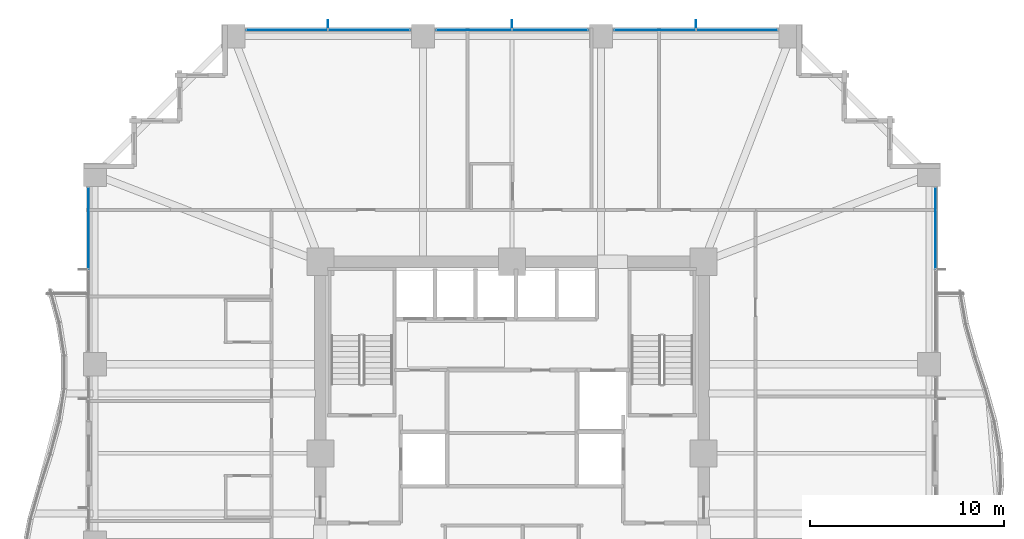
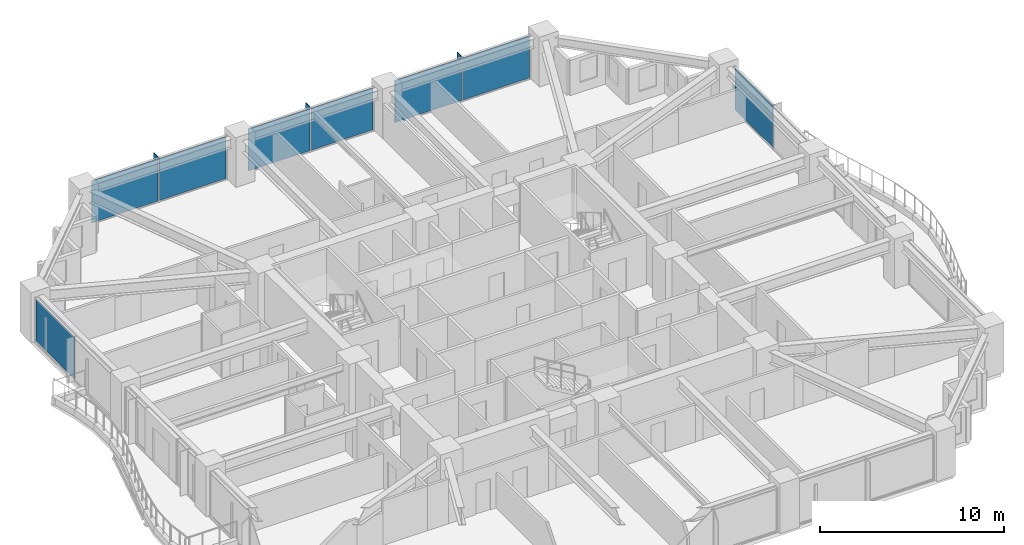
# One storey, part 31 of 38: 11 plates, 5 elements without a shape of their own.
"""IFC4 building model written with IfcOpenShell, lengths in metres."""

from ifc_helpers import new_model, si_unit, direction, frame, origin, origin_2d, place, context, subcontext, project, spatial, rectangle, extrude, material, layer, layer_set, type_object, element, aggregate, save


model = new_model("IFC4")

# Units and contexts
model_context = context("Model", 3, precision=1e-05, world=origin(), true_north=direction((0.0, 1.0)))
body_context = subcontext(model_context, "Body", "Model", "MODEL_VIEW")
ifc_project = project(units=[si_unit("LENGTHUNIT", "METRE"), si_unit("AREAUNIT", "SQUARE_METRE"), si_unit("VOLUMEUNIT", "CUBIC_METRE"), si_unit("PLANEANGLEUNIT", "RADIAN"), si_unit("MASSUNIT", "GRAM", prefix="KILO")], contexts=[model_context])

# Site, building, storey
site_placement = place(None, origin())
site = spatial("IfcSite", under=ifc_project, at=site_placement, CompositionType="ELEMENT")
building_placement = place(site_placement, origin())
building = spatial("IfcBuilding", under=site, at=building_placement, Name="Kolvaren Belvedere", CompositionType="ELEMENT")
storey_placement = place(building_placement, frame((0.0, 0.0, 60.10009765625)))
storey = spatial("IfcBuildingStorey", under=building, at=storey_placement, Name="L17", CompositionType="ELEMENT", Elevation=60.10009765625)

# Curtain wall, plate
ifc_material_1 = material(Name="Anodised pale-metal aluminium AA 6063-T6", Category="aluminium")
curtain_wall_type = type_object("IfcCurtainWallType", Name="CW-Z1-LOW", PredefinedType="NOTDEFINED", material=ifc_material_1)
curtain_wall_1_placement = place(storey_placement, origin())
curtain_wall_1 = element("IfcCurtainWall", 1, at=curtain_wall_1_placement, inside=storey, type_object=curtain_wall_type, Name="L17 Unitised Curtain Wall FCW-L17-E1-B1", PredefinedType="NOTDEFINED")
ifc_material_2 = material(Name="Low-iron triple insulated glass", Category="glass")
ifc_layer_1 = layer(ifc_material_2, 0.028076171875)
ifc_layer_set_1 = layer_set([ifc_layer_1], Name="Low-iron triple insulated glass")
plate_type_1 = type_object("IfcPlateType", Name="CW-PNL-VIS28", PredefinedType="CURTAIN_PANEL", material=ifc_layer_set_1)
plate_1_placement = place(storey_placement, frame((21.8798828125, 11.62255859375, 0.079833984375), z_axis=(0.0, 0.0, 1.0), x_axis=(0.0, -1.0, 0.0)))
plate_1 = element("IfcPlate", 2, at=plate_1_placement, type_object=plate_type_1, Name="FCW-L17-E1-B1 Vision Glazing Panel 1", PredefinedType="CURTAIN_PANEL", context=body_context, shape_type="SweptSolid", body=[
    extrude(rectangle(XDim=4.1650390625, YDim=0.028076171875, at=origin_2d()), origin(), (0.0, 0.0, 1.0), 2.7900390625),
])
aggregate(curtain_wall_1, [plate_1])

# Curtain wall, plates
curtain_wall_2_placement = place(storey_placement, origin())
curtain_wall_2 = element("IfcCurtainWall", 3, at=curtain_wall_2_placement, inside=storey, type_object=curtain_wall_type, Name="L17 Unitised Curtain Wall FCW-L17-N-B1", PredefinedType="NOTDEFINED")
plate_2_placement = place(storey_placement, frame((-11.62255859375, 21.8798828125, 0.079833984375), z_axis=(0.0, 0.0, 1.0), x_axis=(1.0, 0.0, 0.0)))
plate_2 = element("IfcPlate", 4, at=plate_2_placement, type_object=plate_type_1, Name="FCW-L17-N-B1 Vision Glazing Panel 1", PredefinedType="CURTAIN_PANEL", context=body_context, shape_type="SweptSolid", body=[
    extrude(rectangle(XDim=4.1650390625, YDim=0.028076171875, at=origin_2d()), origin(), (0.0, 0.0, 1.0), 2.7900390625),
])
plate_3_placement = place(storey_placement, frame((-7.37744140625, 21.8798828125, 0.079833984375), z_axis=(0.0, 0.0, 1.0), x_axis=(1.0, 0.0, 0.0)))
plate_3 = element("IfcPlate", 5, at=plate_3_placement, type_object=plate_type_1, Name="FCW-L17-N-B1 Vision Glazing Panel 2", PredefinedType="CURTAIN_PANEL", context=body_context, shape_type="SweptSolid", body=[
    extrude(rectangle(XDim=4.1650390625, YDim=0.028076171875, at=origin_2d()), origin(), (0.0, 0.0, 1.0), 2.7900390625),
])
aggregate(curtain_wall_2, [plate_2, plate_3])

curtain_wall_3_placement = place(storey_placement, origin())
curtain_wall_3 = element("IfcCurtainWall", 6, at=curtain_wall_3_placement, inside=storey, type_object=curtain_wall_type, Name="L17 Unitised Curtain Wall FCW-L17-N-B2", PredefinedType="NOTDEFINED")
plate_4_placement = place(storey_placement, frame((-1.972412109375, 21.8798828125, 0.079833984375), z_axis=(0.0, 0.0, 1.0), x_axis=(1.0, 0.0, 0.0)))
plate_4 = element("IfcPlate", 7, at=plate_4_placement, type_object=plate_type_1, Name="FCW-L17-N-B2 Vision Glazing Panel 1", PredefinedType="CURTAIN_PANEL", context=body_context, shape_type="SweptSolid", body=[
    extrude(rectangle(XDim=3.864990234375, YDim=0.028076171875, at=origin_2d()), origin(), (0.0, 0.0, 1.0), 2.7900390625),
])
plate_5_placement = place(storey_placement, frame((1.972412109375, 21.8798828125, 0.079833984375), z_axis=(0.0, 0.0, 1.0), x_axis=(1.0, 0.0, 0.0)))
plate_5 = element("IfcPlate", 8, at=plate_5_placement, type_object=plate_type_1, Name="FCW-L17-N-B2 Vision Glazing Panel 2", PredefinedType="CURTAIN_PANEL", context=body_context, shape_type="SweptSolid", body=[
    extrude(rectangle(XDim=3.864990234375, YDim=0.028076171875, at=origin_2d()), origin(), (0.0, 0.0, 1.0), 2.7900390625),
])
aggregate(curtain_wall_3, [plate_4, plate_5])

curtain_wall_4_placement = place(storey_placement, origin())
curtain_wall_4 = element("IfcCurtainWall", 9, at=curtain_wall_4_placement, inside=storey, type_object=curtain_wall_type, Name="L17 Unitised Curtain Wall FCW-L17-N-B3", PredefinedType="NOTDEFINED")
plate_6_placement = place(storey_placement, frame((7.37744140625, 21.8798828125, 0.079833984375), z_axis=(0.0, 0.0, 1.0), x_axis=(1.0, 0.0, 0.0)))
plate_6 = element("IfcPlate", 10, at=plate_6_placement, type_object=plate_type_1, Name="FCW-L17-N-B3 Vision Glazing Panel 1", PredefinedType="CURTAIN_PANEL", context=body_context, shape_type="SweptSolid", body=[
    extrude(rectangle(XDim=4.1650390625, YDim=0.028076171875, at=origin_2d()), origin(), (0.0, 0.0, 1.0), 2.7900390625),
])
plate_7_placement = place(storey_placement, frame((11.62255859375, 21.8798828125, 0.079833984375), z_axis=(0.0, 0.0, 1.0), x_axis=(1.0, 0.0, 0.0)))
plate_7 = element("IfcPlate", 11, at=plate_7_placement, type_object=plate_type_1, Name="FCW-L17-N-B3 Vision Glazing Panel 2", PredefinedType="CURTAIN_PANEL", context=body_context, shape_type="SweptSolid", body=[
    extrude(rectangle(XDim=4.1650390625, YDim=0.028076171875, at=origin_2d()), origin(), (0.0, 0.0, 1.0), 2.7900390625),
])
aggregate(curtain_wall_4, [plate_6, plate_7])

# Curtain wall, plate
curtain_wall_5_placement = place(storey_placement, origin())
curtain_wall_5 = element("IfcCurtainWall", 12, at=curtain_wall_5_placement, inside=storey, type_object=curtain_wall_type, Name="L17 Unitised Curtain Wall FCW-L17-W2-B2", PredefinedType="NOTDEFINED")
plate_8_placement = place(storey_placement, frame((-21.8798828125, 11.62255859375, 0.079833984375), z_axis=(0.0, 0.0, 1.0), x_axis=(0.0, 1.0, 0.0)))
plate_8 = element("IfcPlate", 13, at=plate_8_placement, type_object=plate_type_1, Name="FCW-L17-W2-B2 Vision Glazing Panel 2", PredefinedType="CURTAIN_PANEL", context=body_context, shape_type="SweptSolid", body=[
    extrude(rectangle(XDim=4.1650390625, YDim=0.028076171875, at=origin_2d()), origin(), (0.0, 0.0, 1.0), 2.7900390625),
])
aggregate(curtain_wall_5, [plate_8])

# Plates
ifc_material_3 = material(Name="Anodised pale-metal aluminium AA 6063-T6", Category="aluminium")
ifc_layer_2 = layer(ifc_material_3, 0.0380859375)
ifc_layer_set_2 = layer_set([ifc_layer_2], Name="Anodised pale-metal aluminium AA 6063-T6")
plate_type_2 = type_object("IfcPlateType", Name="FIN-VERT-450", PredefinedType="USERDEFINED", material=ifc_layer_set_2)
for number, where, z_axis, x_axis, name in (
    (14, (-9.5, 22.1650390625, 0.0), (0.0, 0.0, 1.0), (0.0, 1.0, 0.0), "L17 Pale-Metal Vertical Shading Fin FCW-L17-N-B1-1"),
    (15, (0.0, 22.1650390625, 0.0), (0.0, 0.0, 1.0), (0.0, 1.0, 0.0), "L17 Pale-Metal Vertical Shading Fin FCW-L17-N-B2-1"),
    (16, (9.5, 22.1650390625, 0.0), (0.0, 0.0, 1.0), (0.0, 1.0, 0.0), "L17 Pale-Metal Vertical Shading Fin FCW-L17-N-B3-1"),
):
    element("IfcPlate", number, at=place(storey_placement, frame(where, z_axis=z_axis, x_axis=x_axis)), inside=storey, type_object=plate_type_2, Name=name, ObjectType="VERTICAL FIN", PredefinedType="USERDEFINED", context=body_context, shape_type="SweptSolid", body=[
        extrude(rectangle(XDim=0.449951171875, YDim=0.0380859375, at=origin_2d()), origin(), (0.0, 0.0, 1.0), 2.949951171875),
    ])

save(model, "model.ifc")
